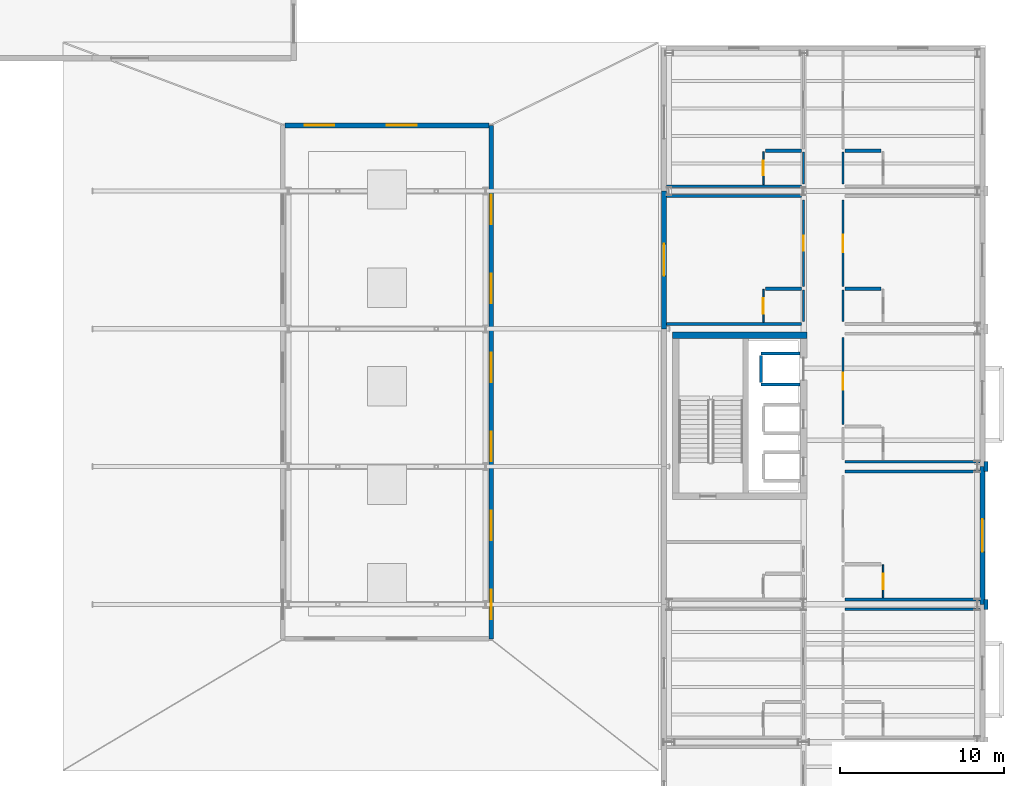
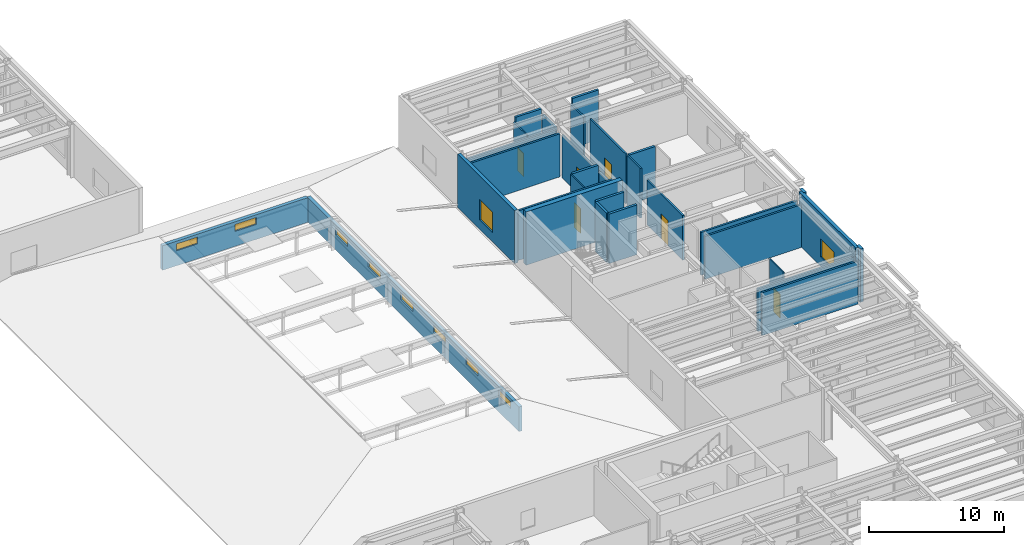
# One storey, part 80 of 91: 31 walls, 10 windows, 6 doors, 16 openings.
"""IFC4 building model written with IfcOpenShell, lengths in metres."""

from ifc_helpers import new_model, si_unit, direction, frame, frame_2d, origin, place, context, subcontext, project, spatial, rectangle, extrude, material, layer, layer_set, type_object, element, fill, save


model = new_model("IFC4")

# Units and contexts
model_context = context("Model", 3, precision=1e-05, world=origin(), true_north=direction((0.0, 1.0)))
body_context = subcontext(model_context, "Body", "Model", "MODEL_VIEW")
ifc_project = project(units=[si_unit("LENGTHUNIT", "METRE"), si_unit("AREAUNIT", "SQUARE_METRE"), si_unit("VOLUMEUNIT", "CUBIC_METRE"), si_unit("PLANEANGLEUNIT", "RADIAN"), si_unit("MASSUNIT", "GRAM", prefix="KILO")], contexts=[model_context])

# Site, building, storey
site_placement = place(None, origin())
site = spatial("IfcSite", under=ifc_project, at=site_placement, CompositionType="ELEMENT")
building_placement = place(site_placement, origin())
building = spatial("IfcBuilding", under=site, at=building_placement, Name="Sollismere Congress Hotel", CompositionType="ELEMENT")
storey_placement = place(building_placement, frame((0.0, 0.0, 10.800048828125)))
storey = spatial("IfcBuildingStorey", under=building, at=storey_placement, Name="L02", CompositionType="ELEMENT", Elevation=10.800048828125)

# Wall, openings, windows
ifc_material_1 = material(Name="Colorado Buff Sandstone Rainscreen on Insulated Backup", Category="masonry")
ifc_layer_1 = layer(ifc_material_1, 0.284912109375, Name="Colorado Buff Sandstone Rainscreen on Insulated Backup")
ifc_layer_set_1 = layer_set([ifc_layer_1], Name="Colorado Buff Sandstone Rainscreen on Insulated Backup")
wall_type_1 = type_object("IfcWallType", Name="WL-EXT285", PredefinedType="STANDARD", material=ifc_layer_set_1)
wall_1_placement = place(storey_placement, frame((136.35009765625, 31.10009765625, 0.0), z_axis=(0.0, 0.0, 1.0), x_axis=(0.0, 1.0, 0.0)))
wall_1 = element("IfcWall", 1, at=wall_1_placement, inside=storey, type_object=wall_type_1, Name="Exterior wall EW-L02-213", PredefinedType="STANDARD", context=body_context, shape_type="SweptSolid", body=[
    extrude(rectangle(XDim=31.2998046875, YDim=0.284912109375, at=frame_2d((15.64990234375, 0.0))), origin(), (0.0, 0.0, 1.0), 2.219970703125),
])
opening_1_placement = place(wall_1_placement, frame((1.199951171875, 0.0, 1.35009765625)))
opening_1 = element("IfcOpeningElement", 2, at=opening_1_placement, cuts=wall_1, Name="Opening W-L02-188", PredefinedType="OPENING", context=body_context, shape_type="SweptSolid", body=[
    extrude(rectangle(XDim=1.800048828125, YDim=0.6201171875, at=frame_2d((0.89990234375, 0.31005859375))), frame((0.0, 0.15234375, 0.0), z_axis=(0.0, -1.0, 0.0), x_axis=(1.0, 0.0, 0.0)), (0.0, 0.0, 1.0), 0.304931640625),
])
opening_2_placement = place(wall_1_placement, frame((6.0166015625, 0.0, 1.35009765625)))
opening_2 = element("IfcOpeningElement", 3, at=opening_2_placement, cuts=wall_1, Name="Opening W-L02-189", PredefinedType="OPENING", context=body_context, shape_type="SweptSolid", body=[
    extrude(rectangle(XDim=1.800048828125, YDim=0.6201171875, at=frame_2d((0.89990234375, 0.31005859375))), frame((0.0, 0.15234375, 0.0), z_axis=(0.0, -1.0, 0.0), x_axis=(1.0, 0.0, 0.0)), (0.0, 0.0, 1.0), 0.304931640625),
])
opening_3_placement = place(wall_1_placement, frame((10.833251953125, 0.0, 1.35009765625)))
opening_3 = element("IfcOpeningElement", 4, at=opening_3_placement, cuts=wall_1, Name="Opening W-L02-190", PredefinedType="OPENING", context=body_context, shape_type="SweptSolid", body=[
    extrude(rectangle(XDim=1.800048828125, YDim=0.6201171875, at=frame_2d((0.89990234375, 0.31005859375))), frame((0.0, 0.15234375, 0.0), z_axis=(0.0, -1.0, 0.0), x_axis=(1.0, 0.0, 0.0)), (0.0, 0.0, 1.0), 0.304931640625),
])
opening_4_placement = place(wall_1_placement, frame((15.64990234375, 0.0, 1.35009765625)))
opening_4 = element("IfcOpeningElement", 5, at=opening_4_placement, cuts=wall_1, Name="Opening W-L02-191", PredefinedType="OPENING", context=body_context, shape_type="SweptSolid", body=[
    extrude(rectangle(XDim=1.800048828125, YDim=0.6201171875, at=frame_2d((0.89990234375, 0.31005859375))), frame((0.0, 0.15234375, 0.0), z_axis=(0.0, -1.0, 0.0), x_axis=(1.0, 0.0, 0.0)), (0.0, 0.0, 1.0), 0.304931640625),
])
opening_5_placement = place(wall_1_placement, frame((20.466796875, 0.0, 1.35009765625)))
opening_5 = element("IfcOpeningElement", 6, at=opening_5_placement, cuts=wall_1, Name="Opening W-L02-192", PredefinedType="OPENING", context=body_context, shape_type="SweptSolid", body=[
    extrude(rectangle(XDim=1.800048828125, YDim=0.6201171875, at=frame_2d((0.89990234375, 0.31005859375))), frame((0.0, 0.15234375, 0.0), z_axis=(0.0, -1.0, 0.0), x_axis=(1.0, 0.0, 0.0)), (0.0, 0.0, 1.0), 0.304931640625),
])
opening_6_placement = place(wall_1_placement, frame((25.283203125, 0.0, 1.35009765625)))
opening_6 = element("IfcOpeningElement", 7, at=opening_6_placement, cuts=wall_1, Name="Opening W-L02-193", PredefinedType="OPENING", context=body_context, shape_type="SweptSolid", body=[
    extrude(rectangle(XDim=1.800048828125, YDim=0.6201171875, at=frame_2d((0.89990234375, 0.31005859375))), frame((0.0, 0.15234375, 0.0), z_axis=(0.0, -1.0, 0.0), x_axis=(1.0, 0.0, 0.0)), (0.0, 0.0, 1.0), 0.304931640625),
])
ifc_material_2 = material(Name="Thermally Broken Bronze Aluminum & Low-E Glass", Category="aluminium")
window_type_1 = type_object("IfcWindowType", Name="WN-CL180", PartitioningType="SINGLE_PANEL", PredefinedType="WINDOW", material=ifc_material_2)
window_1_placement = place(opening_1_placement, origin())
window_1 = element("IfcWindow", 8, at=window_1_placement, inside=storey, type_object=window_type_1, Name="WIN-W-L02-188", OverallHeight=0.6201171875, OverallWidth=1.800048828125, PartitioningType="SINGLE_PANEL", PredefinedType="WINDOW", context=body_context, shape_type="SweptSolid", body=[
    extrude(rectangle(XDim=1.800048828125, YDim=0.6201171875, at=frame_2d((0.89990234375, 0.31005859375))), frame((0.0, 0.030029296875, 0.0), z_axis=(0.0, -1.0, 0.0), x_axis=(1.0, 0.0, 0.0)), (0.0, 0.0, 1.0), 0.06005859375),
])
fill(opening_1, window_1)
window_2_placement = place(opening_2_placement, origin())
window_2 = element("IfcWindow", 9, at=window_2_placement, inside=storey, type_object=window_type_1, Name="WIN-W-L02-189", OverallHeight=0.6201171875, OverallWidth=1.800048828125, PartitioningType="SINGLE_PANEL", PredefinedType="WINDOW", context=body_context, shape_type="SweptSolid", body=[
    extrude(rectangle(XDim=1.800048828125, YDim=0.6201171875, at=frame_2d((0.89990234375, 0.31005859375))), frame((0.0, 0.030029296875, 0.0), z_axis=(0.0, -1.0, 0.0), x_axis=(1.0, 0.0, 0.0)), (0.0, 0.0, 1.0), 0.06005859375),
])
fill(opening_2, window_2)
window_3_placement = place(opening_3_placement, origin())
window_3 = element("IfcWindow", 10, at=window_3_placement, inside=storey, type_object=window_type_1, Name="WIN-W-L02-190", OverallHeight=0.6201171875, OverallWidth=1.800048828125, PartitioningType="SINGLE_PANEL", PredefinedType="WINDOW", context=body_context, shape_type="SweptSolid", body=[
    extrude(rectangle(XDim=1.800048828125, YDim=0.6201171875, at=frame_2d((0.89990234375, 0.31005859375))), frame((0.0, 0.030029296875, 0.0), z_axis=(0.0, -1.0, 0.0), x_axis=(1.0, 0.0, 0.0)), (0.0, 0.0, 1.0), 0.06005859375),
])
fill(opening_3, window_3)
window_4_placement = place(opening_4_placement, origin())
window_4 = element("IfcWindow", 11, at=window_4_placement, inside=storey, type_object=window_type_1, Name="WIN-W-L02-191", OverallHeight=0.6201171875, OverallWidth=1.800048828125, PartitioningType="SINGLE_PANEL", PredefinedType="WINDOW", context=body_context, shape_type="SweptSolid", body=[
    extrude(rectangle(XDim=1.800048828125, YDim=0.6201171875, at=frame_2d((0.89990234375, 0.31005859375))), frame((0.0, 0.030029296875, 0.0), z_axis=(0.0, -1.0, 0.0), x_axis=(1.0, 0.0, 0.0)), (0.0, 0.0, 1.0), 0.06005859375),
])
fill(opening_4, window_4)
window_5_placement = place(opening_5_placement, origin())
window_5 = element("IfcWindow", 12, at=window_5_placement, inside=storey, type_object=window_type_1, Name="WIN-W-L02-192", OverallHeight=0.6201171875, OverallWidth=1.800048828125, PartitioningType="SINGLE_PANEL", PredefinedType="WINDOW", context=body_context, shape_type="SweptSolid", body=[
    extrude(rectangle(XDim=1.800048828125, YDim=0.6201171875, at=frame_2d((0.89990234375, 0.31005859375))), frame((0.0, 0.030029296875, 0.0), z_axis=(0.0, -1.0, 0.0), x_axis=(1.0, 0.0, 0.0)), (0.0, 0.0, 1.0), 0.06005859375),
])
fill(opening_5, window_5)
window_6_placement = place(opening_6_placement, origin())
window_6 = element("IfcWindow", 13, at=window_6_placement, inside=storey, type_object=window_type_1, Name="WIN-W-L02-193", OverallHeight=0.6201171875, OverallWidth=1.800048828125, PartitioningType="SINGLE_PANEL", PredefinedType="WINDOW", context=body_context, shape_type="SweptSolid", body=[
    extrude(rectangle(XDim=1.800048828125, YDim=0.6201171875, at=frame_2d((0.89990234375, 0.31005859375))), frame((0.0, 0.030029296875, 0.0), z_axis=(0.0, -1.0, 0.0), x_axis=(1.0, 0.0, 0.0)), (0.0, 0.0, 1.0), 0.06005859375),
])
fill(opening_6, window_6)

wall_2_placement = place(storey_placement, frame((123.79443359375, 62.39990234375, 0.0), z_axis=(0.0, 0.0, 1.0), x_axis=(1.0, 0.0, 0.0)))
wall_2 = element("IfcWall", 14, at=wall_2_placement, inside=storey, type_object=wall_type_1, Name="Exterior wall EW-L02-215", PredefinedType="STANDARD", context=body_context, shape_type="SweptSolid", body=[
    extrude(rectangle(XDim=12.4111328125, YDim=0.284912109375, at=frame_2d((6.20556640625, 0.0))), origin(), (0.0, 0.0, 1.0), 2.219970703125),
])
opening_7_placement = place(wall_2_placement, frame((1.199951171875, 0.0, 1.35009765625)))
opening_7 = element("IfcOpeningElement", 15, at=opening_7_placement, cuts=wall_2, Name="Opening W-L02-196", PredefinedType="OPENING", context=body_context, shape_type="SweptSolid", body=[
    extrude(rectangle(XDim=1.800048828125, YDim=0.6201171875, at=frame_2d((0.89990234375, 0.31005859375))), frame((0.0, 0.15234375, 0.0), z_axis=(0.0, -1.0, 0.0), x_axis=(1.0, 0.0, 0.0)), (0.0, 0.0, 1.0), 0.304931640625),
])
opening_8_placement = place(wall_2_placement, frame((6.20556640625, 0.0, 1.35009765625)))
opening_8 = element("IfcOpeningElement", 16, at=opening_8_placement, cuts=wall_2, Name="Opening W-L02-197", PredefinedType="OPENING", context=body_context, shape_type="SweptSolid", body=[
    extrude(rectangle(XDim=1.800048828125, YDim=0.6201171875, at=frame_2d((0.89990234375, 0.31005859375))), frame((0.0, 0.15234375, 0.0), z_axis=(0.0, -1.0, 0.0), x_axis=(1.0, 0.0, 0.0)), (0.0, 0.0, 1.0), 0.304931640625),
])
window_7_placement = place(opening_7_placement, origin())
window_7 = element("IfcWindow", 17, at=window_7_placement, inside=storey, type_object=window_type_1, Name="WIN-W-L02-196", OverallHeight=0.6201171875, OverallWidth=1.800048828125, PartitioningType="SINGLE_PANEL", PredefinedType="WINDOW", context=body_context, shape_type="SweptSolid", body=[
    extrude(rectangle(XDim=1.800048828125, YDim=0.6201171875, at=frame_2d((0.89990234375, 0.31005859375))), frame((0.0, 0.030029296875, 0.0), z_axis=(0.0, -1.0, 0.0), x_axis=(1.0, 0.0, 0.0)), (0.0, 0.0, 1.0), 0.06005859375),
])
fill(opening_7, window_7)
window_8_placement = place(opening_8_placement, origin())
window_8 = element("IfcWindow", 18, at=window_8_placement, inside=storey, type_object=window_type_1, Name="WIN-W-L02-197", OverallHeight=0.6201171875, OverallWidth=1.800048828125, PartitioningType="SINGLE_PANEL", PredefinedType="WINDOW", context=body_context, shape_type="SweptSolid", body=[
    extrude(rectangle(XDim=1.800048828125, YDim=0.6201171875, at=frame_2d((0.89990234375, 0.31005859375))), frame((0.0, 0.030029296875, 0.0), z_axis=(0.0, -1.0, 0.0), x_axis=(1.0, 0.0, 0.0)), (0.0, 0.0, 1.0), 0.06005859375),
])
fill(opening_8, window_8)

# Wall, opening, window
wall_3_placement = place(storey_placement, frame((166.31005859375, 33.199951171875, 0.0), z_axis=(0.0, 0.0, 1.0), x_axis=(0.0, 1.0, 0.0)))
wall_3 = element("IfcWall", 19, at=wall_3_placement, inside=storey, type_object=wall_type_1, Name="Exterior wall EW-L02-362", PredefinedType="STANDARD", context=body_context, shape_type="SweptSolid", body=[
    extrude(rectangle(XDim=8.400146484375, YDim=0.284912109375, at=frame_2d((4.2001953125, 0.0))), origin(), (0.0, 0.0, 1.0), 4.800048828125),
])
opening_9_placement = place(wall_3_placement, frame((3.199951171875, 0.0, 0.85009765625)))
opening_9 = element("IfcOpeningElement", 20, at=opening_9_placement, cuts=wall_3, Name="Opening W-L02-287", PredefinedType="OPENING", context=body_context, shape_type="SweptSolid", body=[
    extrude(rectangle(XDim=2.0, YDim=1.64990234375, at=frame_2d((1.0, 0.824951171875))), frame((0.0, 0.15234375, 0.0), z_axis=(0.0, -1.0, 0.0), x_axis=(1.0, 0.0, 0.0)), (0.0, 0.0, 1.0), 0.304931640625),
])
window_type_2 = type_object("IfcWindowType", Name="WN-P200x165", PartitioningType="SINGLE_PANEL", PredefinedType="WINDOW", material=ifc_material_2)
window_9_placement = place(opening_9_placement, origin())
window_9 = element("IfcWindow", 21, at=window_9_placement, inside=storey, type_object=window_type_2, Name="WIN-W-L02-287", OverallHeight=1.64990234375, OverallWidth=2.0, PartitioningType="SINGLE_PANEL", PredefinedType="WINDOW", context=body_context, shape_type="SweptSolid", body=[
    extrude(rectangle(XDim=2.0, YDim=1.64990234375, at=frame_2d((1.0, 0.824951171875))), frame((0.0, 0.030029296875, 0.0), z_axis=(0.0, -1.0, 0.0), x_axis=(1.0, 0.0, 0.0)), (0.0, 0.0, 1.0), 0.06005859375),
])
fill(opening_9, window_9)

wall_4_placement = place(storey_placement, frame((146.889892578125, 50.0, 0.0), z_axis=(0.0, 0.0, 1.0), x_axis=(0.0, 1.0, 0.0)))
wall_4 = element("IfcWall", 22, at=wall_4_placement, inside=storey, type_object=wall_type_1, Name="Exterior wall EW-L02-385", PredefinedType="STANDARD", context=body_context, shape_type="SweptSolid", body=[
    extrude(rectangle(XDim=8.39990234375, YDim=0.284912109375, at=frame_2d((4.199951171875, 0.0))), origin(), (0.0, 0.0, 1.0), 4.800048828125),
])
opening_10_placement = place(wall_4_placement, frame((3.22509765625, 0.0, 0.85009765625)))
opening_10 = element("IfcOpeningElement", 23, at=opening_10_placement, cuts=wall_4, Name="Opening W-L02-303", PredefinedType="OPENING", context=body_context, shape_type="SweptSolid", body=[
    extrude(rectangle(XDim=1.949951171875, YDim=1.85009765625, at=frame_2d((0.97509765625, 0.925048828125))), frame((0.0, 0.15234375, 0.0), z_axis=(0.0, -1.0, 0.0), x_axis=(1.0, 0.0, 0.0)), (0.0, 0.0, 1.0), 0.304931640625),
])
window_type_3 = type_object("IfcWindowType", Name="WN-P195x185", PartitioningType="SINGLE_PANEL", PredefinedType="WINDOW", material=ifc_material_2)
window_10_placement = place(opening_10_placement, origin())
window_10 = element("IfcWindow", 24, at=window_10_placement, inside=storey, type_object=window_type_3, Name="WIN-W-L02-303", OverallHeight=1.85009765625, OverallWidth=1.949951171875, PartitioningType="SINGLE_PANEL", PredefinedType="WINDOW", context=body_context, shape_type="SweptSolid", body=[
    extrude(rectangle(XDim=1.949951171875, YDim=1.85009765625, at=frame_2d((0.97509765625, 0.925048828125))), frame((0.0, 0.030029296875, 0.0), z_axis=(0.0, -1.0, 0.0), x_axis=(1.0, 0.0, 0.0)), (0.0, 0.0, 1.0), 0.06005859375),
])
fill(opening_10, window_10)

# Walls
ifc_material_3 = material(Name="Carved Travertine Pilaster & Frieze Assembly", Category="masonry")
ifc_layer_2 = layer(ifc_material_3, 0.260009765625, Name="Carved Travertine Pilaster & Frieze Assembly")
ifc_layer_set_2 = layer_set([ifc_layer_2], Name="Carved Travertine Pilaster & Frieze Assembly")
wall_type_2 = type_object("IfcWallType", Name="WL-PIL280", PredefinedType="ELEMENTEDWALL", material=ifc_layer_set_2)
wall_5_placement = place(storey_placement, frame((166.52001953125, 32.89990234375, 0.0), z_axis=(0.0, 0.0, 1.0), x_axis=(0.0, 1.0, 0.0)))
element("IfcWall", 25, at=wall_5_placement, inside=storey, type_object=wall_type_2, Name="Exterior wall EW-L02-363", PredefinedType="ELEMENTEDWALL", context=body_context, shape_type="SweptSolid", body=[
    extrude(rectangle(XDim=0.60009765625, YDim=0.260009765625, at=frame_2d((0.300048828125, 0.0))), origin(), (0.0, 0.0, 1.0), 4.800048828125),
])
wall_6_placement = place(storey_placement, frame((166.52001953125, 41.300048828125, 0.0), z_axis=(0.0, 0.0, 1.0), x_axis=(0.0, 1.0, 0.0)))
element("IfcWall", 26, at=wall_6_placement, inside=storey, type_object=wall_type_2, Name="Exterior wall EW-L02-365", PredefinedType="ELEMENTEDWALL", context=body_context, shape_type="SweptSolid", body=[
    extrude(rectangle(XDim=0.599853515625, YDim=0.260009765625, at=frame_2d((0.2998046875, 0.0))), origin(), (0.0, 0.0, 1.0), 4.800048828125),
])
ifc_material_4 = material(Name="Moisture-Resistant Shaft Gypsum Assembly")
ifc_layer_3 = layer(ifc_material_4, 0.199951171875, Name="Moisture-Resistant Shaft Gypsum Assembly")
ifc_layer_set_3 = layer_set([ifc_layer_3], Name="Moisture-Resistant Shaft Gypsum Assembly")
wall_type_3 = type_object("IfcWallType", Name="WL-PLM200", PredefinedType="PLUMBINGWALL", material=ifc_layer_set_3)
for number, where, z_axis, x_axis, name in (
    (27, (152.800048828125, 46.60498046875, 0.0), (0.0, 0.0, 1.0), (1.0, 0.0, 0.0), "Interior wall IW-L02-0431"),
    (28, (152.800048828125, 48.4951171875, 0.0), (0.0, 0.0, 1.0), (1.0, 0.0, 0.0), "Interior wall IW-L02-0432"),
):
    element("IfcWall", number, at=place(storey_placement, frame(where, z_axis=z_axis, x_axis=x_axis)), inside=storey, type_object=wall_type_3, Name=name, PredefinedType="PLUMBINGWALL", context=body_context, shape_type="SweptSolid", body=[
        extrude(rectangle(XDim=2.387939453125, YDim=0.199951171875, at=frame_2d((1.19384765625, 0.0))), origin(), (0.0, 0.0, 1.0), 4.474853515625),
    ])
wall_7_placement = place(storey_placement, frame((152.800048828125, 46.717041015625, 0.0), z_axis=(0.0, 0.0, 1.0), x_axis=(0.0, 1.0, 0.0)))
element("IfcWall", 29, at=wall_7_placement, inside=storey, type_object=wall_type_3, Name="Interior wall IW-L02-0433", PredefinedType="PLUMBINGWALL", context=body_context, shape_type="SweptSolid", body=[
    extrude(rectangle(XDim=1.666015625, YDim=0.199951171875, at=frame_2d((0.8330078125, 0.0))), origin(), (0.0, 0.0, 1.0), 4.474853515625),
])
for number, where, z_axis, x_axis, name in (
    (30, (157.919921875, 52.449951171875, 0.0), (0.0, 0.0, 1.0), (1.0, 0.0, 0.0), "Interior wall IW-L02-1179"),
    (31, (153.070068359375, 52.449951171875, 0.0), (0.0, 0.0, 1.0), (1.0, 0.0, 0.0), "Interior wall IW-L02-1185"),
    (32, (157.919921875, 60.85009765625, 0.0), (0.0, 0.0, 1.0), (1.0, 0.0, 0.0), "Interior wall IW-L02-1190"),
    (33, (153.070068359375, 60.85009765625, 0.0), (0.0, 0.0, 1.0), (1.0, 0.0, 0.0), "Interior wall IW-L02-1195"),
):
    element("IfcWall", number, at=place(storey_placement, frame(where, z_axis=z_axis, x_axis=x_axis)), inside=storey, type_object=wall_type_3, Name=name, PredefinedType="PLUMBINGWALL", context=body_context, shape_type="SweptSolid", body=[
        extrude(rectangle(XDim=2.2099609375, YDim=0.199951171875, at=frame_2d((1.10498046875, 0.0))), origin(), (0.0, 0.0, 1.0), 4.474853515625),
    ])

# Wall, opening, door
ifc_material_5 = material(Name="Moisture-Resistant Gypsum Partition")
ifc_layer_4 = layer(ifc_material_5, 0.10009765625, Name="Moisture-Resistant Gypsum Partition")
ifc_layer_set_4 = layer_set([ifc_layer_4], Name="Moisture-Resistant Gypsum Partition")
wall_type_4 = type_object("IfcWallType", Name="WL-PRT100", PredefinedType="PARTITIONING", material=ifc_layer_set_4)
wall_8_placement = place(storey_placement, frame((160.25, 33.594482421875, 0.0), z_axis=(0.0, 0.0, 1.0), x_axis=(0.0, 1.0, 0.0)))
wall_8 = element("IfcWall", 34, at=wall_8_placement, inside=storey, type_object=wall_type_4, Name="Interior wall IW-L02-1162", PredefinedType="PARTITIONING", context=body_context, shape_type="SweptSolid", body=[
    extrude(rectangle(XDim=2.015625, YDim=0.10009765625, at=frame_2d((1.0078125, 0.0))), origin(), (0.0, 0.0, 1.0), 4.474853515625),
])
opening_11_placement = place(wall_8_placement, frame((0.530029296875, 0.0, 0.0)))
opening_11 = element("IfcOpeningElement", 35, at=opening_11_placement, cuts=wall_8, Name="Opening D-L02-0410", PredefinedType="OPENING", context=body_context, shape_type="SweptSolid", body=[
    extrude(rectangle(XDim=0.955078125, YDim=2.139892578125, at=frame_2d((0.4775390625, 1.06982421875))), frame((0.0, 0.06005859375, 0.0), z_axis=(0.0, -1.0, 0.0), x_axis=(1.0, 0.0, 0.0)), (0.0, 0.0, 1.0), 0.1201171875),
])
ifc_material_6 = material(Name="Moisture-Sealed Timber Bathroom Door", Category="wood")
door_type_1 = type_object("IfcDoorType", Name="DR-BT04", OperationType="NOTDEFINED", PredefinedType="DOOR", material=ifc_material_6)
door_1_placement = place(opening_11_placement, origin())
door_1 = element("IfcDoor", 36, at=door_1_placement, inside=storey, type_object=door_type_1, Name="En-suite bathroom door D-L02-0410", OperationType="SINGLE_SWING_LEFT", OverallHeight=2.139892578125, OverallWidth=0.955078125, PredefinedType="DOOR", context=body_context, shape_type="SweptSolid", body=[
    extrude(rectangle(XDim=0.955078125, YDim=2.139892578125, at=frame_2d((0.4775390625, 1.06982421875))), frame((0.0, 0.02490234375, 0.0), z_axis=(0.0, -1.0, 0.0), x_axis=(1.0, 0.0, 0.0)), (0.0, 0.0, 1.0), 0.050048828125),
])
fill(opening_11, door_1)

wall_9_placement = place(storey_placement, frame((152.949951171875, 50.39453125, 0.0), z_axis=(0.0, 0.0, 1.0), x_axis=(0.0, 1.0, 0.0)))
wall_9 = element("IfcWall", 37, at=wall_9_placement, inside=storey, type_object=wall_type_4, Name="Interior wall IW-L02-1186", PredefinedType="PARTITIONING", context=body_context, shape_type="SweptSolid", body=[
    extrude(rectangle(XDim=2.015380859375, YDim=0.10009765625, at=frame_2d((1.0078125, 0.0))), origin(), (0.0, 0.0, 1.0), 4.474853515625),
])
opening_12_placement = place(wall_9_placement, frame((0.530029296875, 0.0, 0.0)))
opening_12 = element("IfcOpeningElement", 38, at=opening_12_placement, cuts=wall_9, Name="Opening D-L02-0418", PredefinedType="OPENING", context=body_context, shape_type="SweptSolid", body=[
    extrude(rectangle(XDim=0.955078125, YDim=2.219970703125, at=frame_2d((0.4775390625, 1.10986328125))), frame((0.0, 0.06005859375, 0.0), z_axis=(0.0, -1.0, 0.0), x_axis=(1.0, 0.0, 0.0)), (0.0, 0.0, 1.0), 0.1201171875),
])
door_type_2 = type_object("IfcDoorType", Name="DR-BT08", OperationType="NOTDEFINED", PredefinedType="DOOR", material=ifc_material_6)
door_2_placement = place(opening_12_placement, origin())
door_2 = element("IfcDoor", 39, at=door_2_placement, inside=storey, type_object=door_type_2, Name="En-suite bathroom door D-L02-0418", OperationType="SINGLE_SWING_LEFT", OverallHeight=2.219970703125, OverallWidth=0.955078125, PredefinedType="DOOR", context=body_context, shape_type="SweptSolid", body=[
    extrude(rectangle(XDim=0.955078125, YDim=2.219970703125, at=frame_2d((0.4775390625, 1.10986328125))), frame((0.0, 0.02490234375, 0.0), z_axis=(0.0, -1.0, 0.0), x_axis=(1.0, 0.0, 0.0)), (0.0, 0.0, 1.0), 0.050048828125),
])
fill(opening_12, door_2)

wall_10_placement = place(storey_placement, frame((152.949951171875, 58.79443359375, 0.0), z_axis=(0.0, 0.0, 1.0), x_axis=(0.0, 1.0, 0.0)))
wall_10 = element("IfcWall", 40, at=wall_10_placement, inside=storey, type_object=wall_type_4, Name="Interior wall IW-L02-1196", PredefinedType="PARTITIONING", context=body_context, shape_type="SweptSolid", body=[
    extrude(rectangle(XDim=2.015625, YDim=0.10009765625, at=frame_2d((1.0078125, 0.0))), origin(), (0.0, 0.0, 1.0), 4.0830078125),
])
opening_13_placement = place(wall_10_placement, frame((0.554931640625, 0.0, 0.0)))
opening_13 = element("IfcOpeningElement", 41, at=opening_13_placement, cuts=wall_10, Name="Opening D-L02-0422", PredefinedType="OPENING", context=body_context, shape_type="SweptSolid", body=[
    extrude(rectangle(XDim=0.905029296875, YDim=2.10009765625, at=frame_2d((0.45263671875, 1.050048828125))), frame((0.0, 0.06005859375, 0.0), z_axis=(0.0, -1.0, 0.0), x_axis=(1.0, 0.0, 0.0)), (0.0, 0.0, 1.0), 0.1201171875),
])
door_type_3 = type_object("IfcDoorType", Name="DR-BT02", OperationType="NOTDEFINED", PredefinedType="DOOR", material=ifc_material_6)
door_3_placement = place(opening_13_placement, origin())
door_3 = element("IfcDoor", 42, at=door_3_placement, inside=storey, type_object=door_type_3, Name="En-suite bathroom door D-L02-0422", OperationType="SINGLE_SWING_LEFT", OverallHeight=2.10009765625, OverallWidth=0.905029296875, PredefinedType="DOOR", context=body_context, shape_type="SweptSolid", body=[
    extrude(rectangle(XDim=0.905029296875, YDim=2.10009765625, at=frame_2d((0.45263671875, 1.050048828125))), frame((0.0, 0.02490234375, 0.0), z_axis=(0.0, -1.0, 0.0), x_axis=(1.0, 0.0, 0.0)), (0.0, 0.0, 1.0), 0.050048828125),
])
fill(opening_13, door_3)

ifc_material_7 = material(Name="Fire-Rated Gypsum Partition")
ifc_layer_5 = layer(ifc_material_7, 0.139892578125, Name="Fire-Rated Gypsum Partition")
ifc_layer_set_5 = layer_set([ifc_layer_5], Name="Fire-Rated Gypsum Partition")
wall_type_5 = type_object("IfcWallType", Name="WL-PRT140R", PredefinedType="PARTITIONING", material=ifc_layer_set_5)
wall_11_placement = place(storey_placement, frame((157.800048828125, 44.169921875, 0.0), z_axis=(0.0, 0.0, 1.0), x_axis=(0.0, 1.0, 0.0)))
wall_11 = element("IfcWall", 43, at=wall_11_placement, inside=storey, type_object=wall_type_5, Name="Interior wall IW-L02-1170", PredefinedType="PARTITIONING", context=body_context, shape_type="SweptSolid", body=[
    extrude(rectangle(XDim=5.2900390625, YDim=0.139892578125, at=frame_2d((2.64501953125, 0.0))), origin(), (0.0, 0.0, 1.0), 4.02783203125),
])
opening_14_placement = place(wall_11_placement, frame((2.125, 0.0, 0.0)))
opening_14 = element("IfcOpeningElement", 44, at=opening_14_placement, cuts=wall_11, Name="Opening D-L02-0413", PredefinedType="OPENING", context=body_context, shape_type="SweptSolid", body=[
    extrude(rectangle(XDim=1.0400390625, YDim=2.25, at=frame_2d((0.52001953125, 1.125))), frame((0.0, 0.079833984375, 0.0), z_axis=(0.0, -1.0, 0.0), x_axis=(1.0, 0.0, 0.0)), (0.0, 0.0, 1.0), 0.159912109375),
])
ifc_material_8 = material(Name="Solid-Core Acoustic Walnut Guestroom Entry Door")
door_type_4 = type_object("IfcDoorType", Name="DR-KY05", OperationType="NOTDEFINED", PredefinedType="DOOR", material=ifc_material_8)
door_4_placement = place(opening_14_placement, origin())
door_4 = element("IfcDoor", 45, at=door_4_placement, inside=storey, type_object=door_type_4, Name="Hotel room entry door D-L02-0413", OperationType="SINGLE_SWING_RIGHT", OverallHeight=2.25, OverallWidth=1.0400390625, PredefinedType="DOOR", context=body_context, shape_type="SweptSolid", body=[
    extrude(rectangle(XDim=1.0400390625, YDim=2.25, at=frame_2d((0.52001953125, 1.125))), frame((0.0, 0.02490234375, 0.0), z_axis=(0.0, -1.0, 0.0), x_axis=(1.0, 0.0, 0.0)), (0.0, 0.0, 1.0), 0.050048828125),
])
fill(opening_14, door_4)

# Wall
wall_12_placement = place(storey_placement, frame((157.800048828125, 50.43994140625, 0.0), z_axis=(0.0, 0.0, 1.0), x_axis=(0.0, 1.0, 0.0)))
element("IfcWall", 46, at=wall_12_placement, inside=storey, type_object=wall_type_5, Name="Interior wall IW-L02-1175", PredefinedType="PARTITIONING", context=body_context, shape_type="SweptSolid", body=[
    extrude(rectangle(XDim=1.93017578125, YDim=0.139892578125, at=frame_2d((0.965087890625, 0.0))), origin(), (0.0, 0.0, 1.0), 4.474853515625),
])

# Wall, opening, door
wall_13_placement = place(storey_placement, frame((157.800048828125, 52.570068359375, 0.0), z_axis=(0.0, 0.0, 1.0), x_axis=(0.0, 1.0, 0.0)))
wall_13 = element("IfcWall", 47, at=wall_13_placement, inside=storey, type_object=wall_type_5, Name="Interior wall IW-L02-1176", PredefinedType="PARTITIONING", context=body_context, shape_type="SweptSolid", body=[
    extrude(rectangle(XDim=5.2900390625, YDim=0.139892578125, at=frame_2d((2.64501953125, 0.0))), origin(), (0.0, 0.0, 1.0), 4.474853515625),
])
opening_15_placement = place(wall_13_placement, frame((2.110107421875, 0.0, 0.0)))
opening_15 = element("IfcOpeningElement", 48, at=opening_15_placement, cuts=wall_13, Name="Opening D-L02-0415", PredefinedType="OPENING", context=body_context, shape_type="SweptSolid", body=[
    extrude(rectangle(XDim=1.070068359375, YDim=2.25, at=frame_2d((0.53515625, 1.125))), frame((0.0, 0.079833984375, 0.0), z_axis=(0.0, -1.0, 0.0), x_axis=(1.0, 0.0, 0.0)), (0.0, 0.0, 1.0), 0.159912109375),
])
door_type_5 = type_object("IfcDoorType", Name="DR-KY06", OperationType="NOTDEFINED", PredefinedType="DOOR", material=ifc_material_8)
door_5_placement = place(opening_15_placement, origin())
door_5 = element("IfcDoor", 49, at=door_5_placement, inside=storey, type_object=door_type_5, Name="Hotel room entry door D-L02-0415", OperationType="SINGLE_SWING_RIGHT", OverallHeight=2.25, OverallWidth=1.070068359375, PredefinedType="DOOR", context=body_context, shape_type="SweptSolid", body=[
    extrude(rectangle(XDim=1.070068359375, YDim=2.25, at=frame_2d((0.53515625, 1.125))), frame((0.0, 0.02490234375, 0.0), z_axis=(0.0, -1.0, 0.0), x_axis=(1.0, 0.0, 0.0)), (0.0, 0.0, 1.0), 0.050048828125),
])
fill(opening_15, door_5)

# Wall
wall_14_placement = place(storey_placement, frame((155.39990234375, 50.43994140625, 0.0), z_axis=(0.0, 0.0, 1.0), x_axis=(0.0, 1.0, 0.0)))
element("IfcWall", 50, at=wall_14_placement, inside=storey, type_object=wall_type_5, Name="Interior wall IW-L02-1181", PredefinedType="PARTITIONING", context=body_context, shape_type="SweptSolid", body=[
    extrude(rectangle(XDim=1.93017578125, YDim=0.139892578125, at=frame_2d((0.965087890625, 0.0))), origin(), (0.0, 0.0, 1.0), 3.864990234375),
])

# Wall, opening, door
wall_15_placement = place(storey_placement, frame((155.39990234375, 52.570068359375, 0.0), z_axis=(0.0, 0.0, 1.0), x_axis=(0.0, 1.0, 0.0)))
wall_15 = element("IfcWall", 51, at=wall_15_placement, inside=storey, type_object=wall_type_5, Name="Interior wall IW-L02-1182", PredefinedType="PARTITIONING", context=body_context, shape_type="SweptSolid", body=[
    extrude(rectangle(XDim=5.2900390625, YDim=0.139892578125, at=frame_2d((2.64501953125, 0.0))), origin(), (0.0, 0.0, 1.0), 3.864990234375),
])
opening_16_placement = place(wall_15_placement, frame((2.18505859375, 0.0, 0.0)))
opening_16 = element("IfcOpeningElement", 52, at=opening_16_placement, cuts=wall_15, Name="Opening D-L02-0417", PredefinedType="OPENING", context=body_context, shape_type="SweptSolid", body=[
    extrude(rectangle(XDim=0.919921875, YDim=2.300048828125, at=frame_2d((0.4599609375, 1.14990234375))), frame((0.0, 0.079833984375, 0.0), z_axis=(0.0, -1.0, 0.0), x_axis=(1.0, 0.0, 0.0)), (0.0, 0.0, 1.0), 0.159912109375),
])
door_type_6 = type_object("IfcDoorType", Name="DR-KY07", OperationType="NOTDEFINED", PredefinedType="DOOR", material=ifc_material_8)
door_6_placement = place(opening_16_placement, origin())
door_6 = element("IfcDoor", 53, at=door_6_placement, inside=storey, type_object=door_type_6, Name="Hotel room entry door D-L02-0417", OperationType="SINGLE_SWING_RIGHT", OverallHeight=2.300048828125, OverallWidth=0.919921875, PredefinedType="DOOR", context=body_context, shape_type="SweptSolid", body=[
    extrude(rectangle(XDim=0.919921875, YDim=2.300048828125, at=frame_2d((0.4599609375, 1.14990234375))), frame((0.0, 0.02490234375, 0.0), z_axis=(0.0, -1.0, 0.0), x_axis=(1.0, 0.0, 0.0)), (0.0, 0.0, 1.0), 0.050048828125),
])
fill(opening_16, door_6)

# Walls
wall_16_placement = place(storey_placement, frame((157.800048828125, 58.840087890625, 0.0), z_axis=(0.0, 0.0, 1.0), x_axis=(0.0, 1.0, 0.0)))
element("IfcWall", 54, at=wall_16_placement, inside=storey, type_object=wall_type_5, Name="Interior wall IW-L02-1187", PredefinedType="PARTITIONING", context=body_context, shape_type="SweptSolid", body=[
    extrude(rectangle(XDim=1.929931640625, YDim=0.139892578125, at=frame_2d((0.96484375, 0.0))), origin(), (0.0, 0.0, 1.0), 4.032958984375),
])
wall_17_placement = place(storey_placement, frame((155.39990234375, 58.840087890625, 0.0), z_axis=(0.0, 0.0, 1.0), x_axis=(0.0, 1.0, 0.0)))
element("IfcWall", 55, at=wall_17_placement, inside=storey, type_object=wall_type_5, Name="Interior wall IW-L02-1192", PredefinedType="PARTITIONING", context=body_context, shape_type="SweptSolid", body=[
    extrude(rectangle(XDim=1.929931640625, YDim=0.139892578125, at=frame_2d((0.96484375, 0.0))), origin(), (0.0, 0.0, 1.0), 3.948974609375),
])
ifc_material_9 = material(Name="Fire-Rated Acoustic Gypsum Partition")
ifc_layer_6 = layer(ifc_material_9, 0.1650390625, Name="Fire-Rated Acoustic Gypsum Partition")
ifc_layer_set_6 = layer_set([ifc_layer_6], Name="Fire-Rated Acoustic Gypsum Partition")
wall_type_6 = type_object("IfcWallType", Name="WL-PRT165R", PredefinedType="PARTITIONING", material=ifc_layer_set_6)
for number, where, z_axis, x_axis, name in (
    (56, (157.93994140625, 32.89990234375, 0.0), (0.0, 0.0, 1.0), (1.0, 0.0, 0.0), "Interior wall IW-L02-1148"),
    (57, (157.93994140625, 33.5, 0.0), (0.0, 0.0, 1.0), (1.0, 0.0, 0.0), "Interior wall IW-L02-1159"),
    (58, (157.93994140625, 41.300048828125, 0.0), (0.0, 0.0, 1.0), (1.0, 0.0, 0.0), "Interior wall IW-L02-1160"),
    (59, (157.93994140625, 41.89990234375, 0.0), (0.0, 0.0, 1.0), (1.0, 0.0, 0.0), "Interior wall IW-L02-1171"),
):
    element("IfcWall", number, at=place(storey_placement, frame(where, z_axis=z_axis, x_axis=x_axis)), inside=storey, type_object=wall_type_6, Name=name, PredefinedType="PARTITIONING", context=body_context, shape_type="SweptSolid", body=[
        extrude(rectangle(XDim=8.212646484375, YDim=0.1650390625, at=frame_2d((4.1064453125, 0.0))), origin(), (0.0, 0.0, 1.0), 3.864990234375),
    ])
wall_18_placement = place(storey_placement, frame((147.047607421875, 50.300048828125, 0.0), z_axis=(0.0, 0.0, 1.0), x_axis=(1.0, 0.0, 0.0)))
element("IfcWall", 60, at=wall_18_placement, inside=storey, type_object=wall_type_6, Name="Interior wall IW-L02-1183", PredefinedType="PARTITIONING", context=body_context, shape_type="SweptSolid", body=[
    extrude(rectangle(XDim=8.21240234375, YDim=0.1650390625, at=frame_2d((4.106201171875, 0.0))), origin(), (0.0, 0.0, 1.0), 4.474853515625),
])
for number, where, z_axis, x_axis, name in (
    (61, (147.047607421875, 58.10009765625, 0.0), (0.0, 0.0, 1.0), (1.0, 0.0, 0.0), "Interior wall IW-L02-1184"),
    (62, (147.047607421875, 58.699951171875, 0.0), (0.0, 0.0, 1.0), (1.0, 0.0, 0.0), "Interior wall IW-L02-1194"),
):
    element("IfcWall", number, at=place(storey_placement, frame(where, z_axis=z_axis, x_axis=x_axis)), inside=storey, type_object=wall_type_6, Name=name, PredefinedType="PARTITIONING", context=body_context, shape_type="SweptSolid", body=[
        extrude(rectangle(XDim=8.21240234375, YDim=0.1650390625, at=frame_2d((4.106201171875, 0.0))), origin(), (0.0, 0.0, 1.0), 3.887939453125),
    ])
ifc_material_10 = material(Name="Concrete C50/60", Category="concrete")
ifc_layer_7 = layer(ifc_material_10, 0.39990234375, Name="Concrete C50/60")
ifc_layer_set_7 = layer_set([ifc_layer_7], Name="Concrete C50/60")
wall_type_7 = type_object("IfcWallType", Name="WL-SHR400", PredefinedType="SHEAR", material=ifc_layer_set_7)
wall_19_placement = place(storey_placement, frame((155.60009765625, 49.60009765625, 0.0), z_axis=(0.0, 0.0, 1.0), x_axis=(-1.0, 0.0, 0.0)))
element("IfcWall", 63, at=wall_19_placement, inside=storey, type_object=wall_type_7, Name="Interior wall IW-L02-0421", PredefinedType="SHEAR", context=body_context, shape_type="SweptSolid", body=[
    extrude(rectangle(XDim=8.2001953125, YDim=0.39990234375, at=frame_2d((4.10009765625, 0.0))), origin(), (0.0, 0.0, 1.0), 4.800048828125),
])

save(model, "model.ifc")
